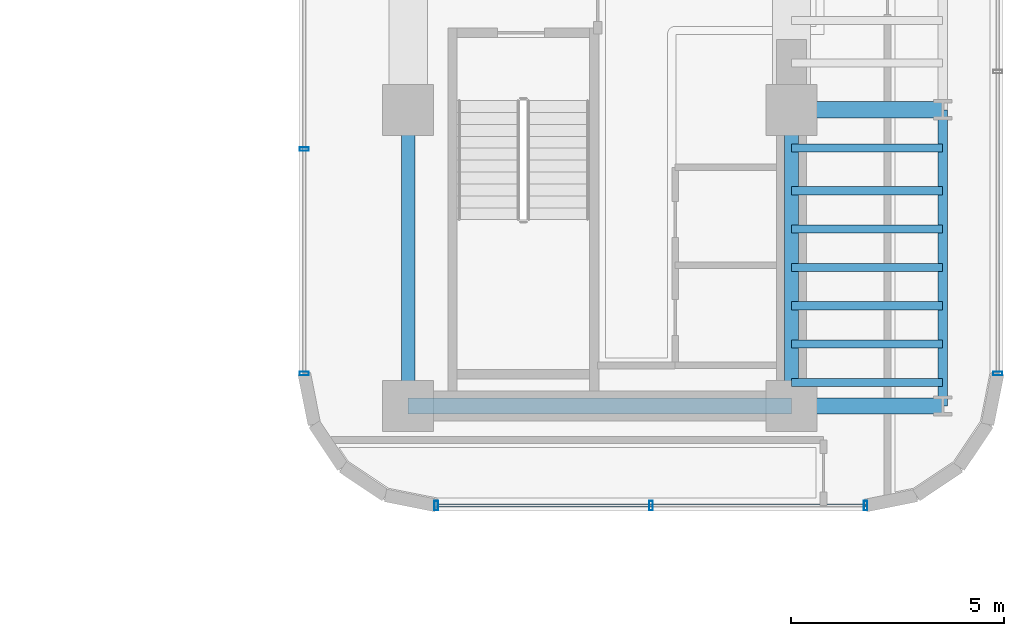
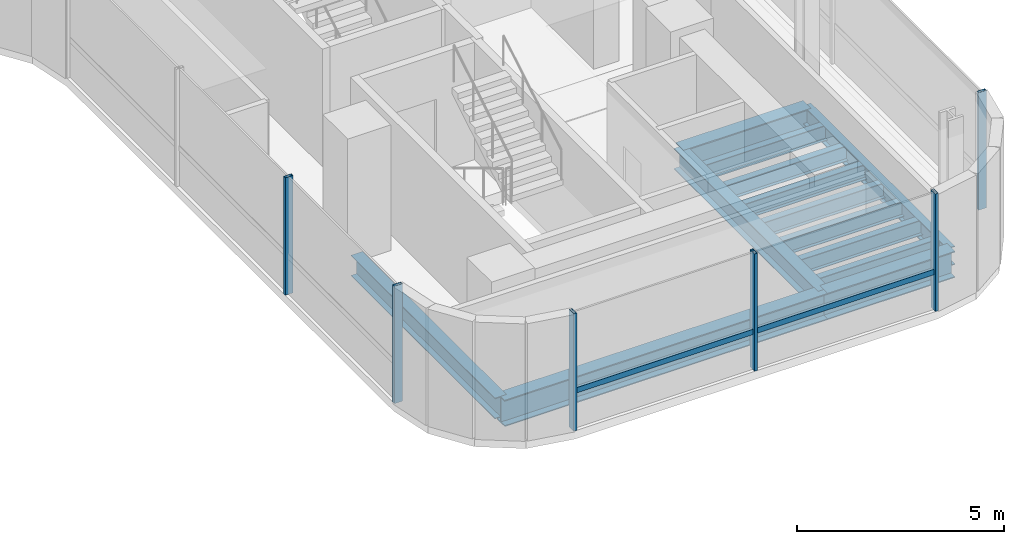
# One storey, part 12 of 35: 13 beams, 7 members, 3 elements without a shape of their own.
"""IFC4 building model written with IfcOpenShell, lengths in metres."""

from ifc_helpers import new_model, si_unit, direction, frame, origin, origin_2d, place, context, subcontext, project, spatial, hollow_rectangle, i_section, extrude, source, transform, mapped, material, material_profile, profile_set, type_object, element, aggregate, save


model = new_model("IFC4")

# Units and contexts
model_context = context("Model", 3, precision=1e-05, world=origin(), true_north=direction((0.0, 1.0)))
body_context = subcontext(model_context, "Body", "Model", "MODEL_VIEW")
ifc_project = project(units=[si_unit("LENGTHUNIT", "METRE"), si_unit("AREAUNIT", "SQUARE_METRE"), si_unit("VOLUMEUNIT", "CUBIC_METRE"), si_unit("PLANEANGLEUNIT", "RADIAN"), si_unit("MASSUNIT", "GRAM", prefix="KILO")], contexts=[model_context])

# Site, building, storey
site_placement = place(None, origin())
site = spatial("IfcSite", under=ifc_project, at=site_placement, CompositionType="ELEMENT")
building_placement = place(site_placement, origin())
building = spatial("IfcBuilding", under=site, at=building_placement, Name="Valdorenza Pilgrim Sanctuary Tower", CompositionType="ELEMENT")
storey_placement = place(building_placement, frame((0.0, 0.0, 124.199951171875)))
storey = spatial("IfcBuildingStorey", under=building, at=storey_placement, Name="L31", CompositionType="ELEMENT", Elevation=124.199951171875)

# Beams
ifc_material_1 = material(Name="Steel ASTM A992 Grade 50", Category="steel")
ifc_material_profile_1 = material_profile(ifc_material_1, i_section(OverallWidth=0.323974609375, OverallDepth=0.611083984375, WebThickness=0.0126953125, FlangeThickness=0.01904296875, at=origin_2d()), Name="W24X104")
ifc_profile_set_1 = profile_set([ifc_material_profile_1], Name="Steel ASTM A992 Grade 50")
beam_type_1 = type_object("IfcBeamType", Name="STR-BM-GRD-W24B", PredefinedType="BEAM", material=ifc_profile_set_1)
shared_shape_1 = source(origin(), body_context, "Body", "SweptSolid", [
    extrude(i_section(OverallWidth=0.323974609375, OverallDepth=0.611083984375, WebThickness=0.0126953125, FlangeThickness=0.01904296875, at=origin_2d()), origin(), (0.0, 0.0, 1.0), 6.949951171875),
])
for number, where, z_axis, x_axis, name in (
    (1, (15.85009765625, -9.550048828125, -0.54541015625), (0.0, 1.0, 0.0), (-1.0, 0.0, 0.0), "L31 Core Tie Girder CB-W-S1M0"),
    (2, (24.85009765625, -9.550048828125, -0.54541015625), (0.0, 1.0, 0.0), (-1.0, 0.0, 0.0), "L31 Core Tie Girder CB-E-S1M0"),
):
    element("IfcBeam", number, at=place(storey_placement, frame(where, z_axis=z_axis, x_axis=x_axis)), inside=storey, type_object=beam_type_1, Name=name, PredefinedType="BEAM", context=body_context, shape_type="MappedRepresentation", body=[
        mapped(shared_shape_1, transform((0.0, 0.0, 0.0), x_axis=(1.0, 0.0, 0.0), y_axis=(0.0, 1.0, 0.0), z_axis=(0.0, 0.0, 1.0), scale=1.0)),
    ])
ifc_material_profile_2 = material_profile(ifc_material_1, i_section(OverallWidth=0.214111328125, OverallDepth=0.549072265625, WebThickness=0.0146484375, FlangeThickness=0.023681640625, at=origin_2d()), Name="W21X93")
ifc_profile_set_2 = profile_set([ifc_material_profile_2], Name="Steel ASTM A992 Grade 50")
beam_type_2 = type_object("IfcBeamType", Name="STR-BM-SPN-W21A", PredefinedType="SPANDREL", material=ifc_profile_set_2)
shared_shape_2 = source(origin(), body_context, "Body", "SweptSolid", [
    extrude(i_section(OverallWidth=0.214111328125, OverallDepth=0.549072265625, WebThickness=0.0146484375, FlangeThickness=0.023681640625, at=origin_2d()), origin(), (0.0, 0.0, 1.0), 6.949951171875),
])
beam_1_placement = place(storey_placement, frame((28.39990234375, -9.550048828125, -0.514404296875), z_axis=(0.0, 1.0, 0.0), x_axis=(-1.0, 0.0, 0.0)))
element("IfcBeam", 3, at=beam_1_placement, inside=storey, type_object=beam_type_2, Name="L31 Spandrel Beam WB-E-S1M0", PredefinedType="SPANDREL", context=body_context, shape_type="MappedRepresentation", body=[
    mapped(shared_shape_2, transform((0.0, 0.0, 0.0), x_axis=(1.0, 0.0, 0.0), y_axis=(0.0, 1.0, 0.0), z_axis=(0.0, 0.0, 1.0), scale=1.0)),
])
ifc_material_profile_3 = material_profile(ifc_material_1, i_section(OverallWidth=0.382080078125, OverallDepth=0.779052734375, WebThickness=0.01806640625, FlangeThickness=0.030029296875, at=origin_2d()), Name="W30X191")
ifc_profile_set_3 = profile_set([ifc_material_profile_3], Name="Steel ASTM A992 Grade 50")
beam_type_3 = type_object("IfcBeamType", Name="STR-BM-GRD-W30", PredefinedType="BEAM", material=ifc_profile_set_3)
shared_shape_3 = source(origin(), body_context, "Body", "SweptSolid", [
    extrude(i_section(OverallWidth=0.382080078125, OverallDepth=0.779052734375, WebThickness=0.01806640625, FlangeThickness=0.030029296875, at=origin_2d()), origin(), (0.0, 0.0, 1.0), 9.0),
])
beam_2_placement = place(storey_placement, frame((15.85009765625, -9.550048828125, -0.62939453125), z_axis=(1.0, 0.0, 0.0), x_axis=(0.0, 1.0, 0.0)))
element("IfcBeam", 4, at=beam_2_placement, inside=storey, type_object=beam_type_3, Name="L31 Floor Girder CB-XC-S1", PredefinedType="BEAM", context=body_context, shape_type="MappedRepresentation", body=[
    mapped(shared_shape_3, transform((0.0, 0.0, 0.0), x_axis=(1.0, 0.0, 0.0), y_axis=(0.0, 1.0, 0.0), z_axis=(0.0, 0.0, 1.0), scale=1.0)),
])
shared_shape_4 = source(origin(), body_context, "Body", "SweptSolid", [
    extrude(i_section(OverallWidth=0.382080078125, OverallDepth=0.779052734375, WebThickness=0.01806640625, FlangeThickness=0.030029296875, at=origin_2d()), origin(), (0.0, 0.0, 1.0), 3.5498046875),
])
for number, where, z_axis, x_axis, name in (
    (5, (24.85009765625, -9.550048828125, -0.62939453125), (1.0, 0.0, 0.0), (0.0, 1.0, 0.0), "L31 Floor Girder WB-XE-S1"),
    (6, (24.85009765625, -2.60009765625, -0.62939453125), (1.0, 0.0, 0.0), (0.0, 1.0, 0.0), "L31 Floor Girder WB-XE-M0"),
):
    element("IfcBeam", number, at=place(storey_placement, frame(where, z_axis=z_axis, x_axis=x_axis)), inside=storey, type_object=beam_type_3, Name=name, PredefinedType="BEAM", context=body_context, shape_type="MappedRepresentation", body=[
        mapped(shared_shape_4, transform((0.0, 0.0, 0.0), x_axis=(1.0, 0.0, 0.0), y_axis=(0.0, 1.0, 0.0), z_axis=(0.0, 0.0, 1.0), scale=1.0)),
    ])
ifc_material_profile_4 = material_profile(ifc_material_1, i_section(OverallWidth=0.19091796875, OverallDepth=0.45703125, WebThickness=0.009033203125, FlangeThickness=0.014404296875, at=origin_2d()), Name="W18X50")
ifc_profile_set_4 = profile_set([ifc_material_profile_4], Name="Steel ASTM A992 Grade 50")
beam_type_4 = type_object("IfcBeamType", Name="STR-BM-JST-W18B", PredefinedType="JOIST", material=ifc_profile_set_4)
shared_shape_5 = source(origin(), body_context, "Body", "SweptSolid", [
    extrude(i_section(OverallWidth=0.19091796875, OverallDepth=0.45703125, WebThickness=0.009033203125, FlangeThickness=0.014404296875, at=origin_2d()), origin(), (0.0, 0.0, 1.0), 3.5498046875),
])
for number, where, z_axis, x_axis, name in (
    (7, (24.85009765625, -9.0, -0.468505859375), (1.0, 0.0, 0.0), (0.0, 1.0, 0.0), "L31 Composite Floor Joist JST-WB-1"),
    (8, (24.85009765625, -8.10009765625, -0.468505859375), (1.0, 0.0, 0.0), (0.0, 1.0, 0.0), "L31 Composite Floor Joist JST-WB-2"),
    (9, (24.85009765625, -7.199951171875, -0.468505859375), (1.0, 0.0, 0.0), (0.0, 1.0, 0.0), "L31 Composite Floor Joist JST-WB-3"),
    (10, (24.85009765625, -6.300048828125, -0.468505859375), (1.0, 0.0, 0.0), (0.0, 1.0, 0.0), "L31 Composite Floor Joist JST-WB-4"),
    (11, (24.85009765625, -5.39990234375, -0.468505859375), (1.0, 0.0, 0.0), (0.0, 1.0, 0.0), "L31 Composite Floor Joist JST-WB-5"),
    (12, (24.85009765625, -4.5, -0.468505859375), (1.0, 0.0, 0.0), (0.0, 1.0, 0.0), "L31 Composite Floor Joist JST-WB-6"),
    (13, (24.85009765625, -3.5, -0.468505859375), (1.0, 0.0, 0.0), (0.0, 1.0, 0.0), "L31 Composite Floor Joist JST-WB-7"),
):
    element("IfcBeam", number, at=place(storey_placement, frame(where, z_axis=z_axis, x_axis=x_axis)), inside=storey, type_object=beam_type_4, Name=name, PredefinedType="JOIST", context=body_context, shape_type="MappedRepresentation", body=[
        mapped(shared_shape_5, transform((0.0, 0.0, 0.0), x_axis=(1.0, 0.0, 0.0), y_axis=(0.0, 1.0, 0.0), z_axis=(0.0, 0.0, 1.0), scale=1.0)),
    ])

# Curtain wall, member
ifc_material_2 = material(Name="Curtain-wall IGU glazing", Category="glass")
curtain_wall_type = type_object("IfcCurtainWallType", Name="CW-SYS-03", PredefinedType="NOTDEFINED", material=ifc_material_2)
curtain_wall_1_placement = place(storey_placement, origin())
curtain_wall_1 = element("IfcCurtainWall", 14, at=curtain_wall_1_placement, inside=storey, type_object=curtain_wall_type, Name="L31 Curtain Wall CW-L31-1-21", PredefinedType="NOTDEFINED")
ifc_material_3 = material(Name="Anodised aluminium AW-6060", Category="aluminium")
ifc_material_profile_5 = material_profile(ifc_material_3, hollow_rectangle(XDim=0.0849609375, YDim=0.219970703125, WallThickness=0.0048828125, at=origin_2d()), Name="ALU-M 220x85x5")
ifc_profile_set_5 = profile_set([ifc_material_profile_5], Name="Anodised aluminium AW-6060")
member_type_1 = type_object("IfcMemberType", Name="CW-MUL-03", PredefinedType="MULLION", material=ifc_profile_set_5)
shared_shape_6 = source(origin(), body_context, "Body", "SweptSolid", [
    extrude(hollow_rectangle(XDim=0.0849609375, YDim=0.219970703125, WallThickness=0.0048828125, at=origin_2d()), origin(), (0.0, 0.0, 1.0), 3.4599609375),
])
member_1_placement = place(storey_placement, frame((29.68994140625, -8.789306640625, 0.0), z_axis=(0.0, 0.0, 1.0), x_axis=(0.0, -1.0, 0.0)))
member_1 = element("IfcMember", 15, at=member_1_placement, type_object=member_type_1, Name="CW-L31-1-21 Mullion 4", PredefinedType="MULLION", context=body_context, shape_type="MappedRepresentation", body=[
    mapped(shared_shape_6, transform((0.0, 0.0, 0.0), x_axis=(1.0, 0.0, 0.0), y_axis=(0.0, 1.0, 0.0), z_axis=(0.0, 0.0, 1.0), scale=1.0)),
])
aggregate(curtain_wall_1, [member_1])

# Curtain wall, members
curtain_wall_2_placement = place(storey_placement, origin())
curtain_wall_2 = element("IfcCurtainWall", 16, at=curtain_wall_2_placement, inside=storey, type_object=curtain_wall_type, Name="L31 Curtain Wall CW-L31-1-26", PredefinedType="NOTDEFINED")
member_2_placement = place(storey_placement, frame((26.589111328125, -11.889892578125, 0.0), z_axis=(0.0, 0.0, 1.0), x_axis=(-1.0, 0.0, 0.0)))
member_2 = element("IfcMember", 17, at=member_2_placement, type_object=member_type_1, Name="CW-L31-1-26 Mullion 1", PredefinedType="MULLION", context=body_context, shape_type="MappedRepresentation", body=[
    mapped(shared_shape_6, transform((0.0, 0.0, 0.0), x_axis=(1.0, 0.0, 0.0), y_axis=(0.0, 1.0, 0.0), z_axis=(0.0, 0.0, 1.0), scale=1.0)),
])
member_3_placement = place(storey_placement, frame((21.550048828125, -11.889892578125, 0.0), z_axis=(0.0, 0.0, 1.0), x_axis=(-1.0, 0.0, 0.0)))
member_3 = element("IfcMember", 18, at=member_3_placement, type_object=member_type_1, Name="CW-L31-1-26 Mullion 2", PredefinedType="MULLION", context=body_context, shape_type="MappedRepresentation", body=[
    mapped(shared_shape_6, transform((0.0, 0.0, 0.0), x_axis=(1.0, 0.0, 0.0), y_axis=(0.0, 1.0, 0.0), z_axis=(0.0, 0.0, 1.0), scale=1.0)),
])
member_4_placement = place(storey_placement, frame((16.5107421875, -11.889892578125, 0.0), z_axis=(0.0, 0.0, 1.0), x_axis=(-1.0, 0.0, 0.0)))
member_4 = element("IfcMember", 19, at=member_4_placement, type_object=member_type_1, Name="CW-L31-1-26 Mullion 3", PredefinedType="MULLION", context=body_context, shape_type="MappedRepresentation", body=[
    mapped(shared_shape_6, transform((0.0, 0.0, 0.0), x_axis=(1.0, 0.0, 0.0), y_axis=(0.0, 1.0, 0.0), z_axis=(0.0, 0.0, 1.0), scale=1.0)),
])

curtain_wall_3_placement = place(storey_placement, origin())
curtain_wall_3 = element("IfcCurtainWall", 20, at=curtain_wall_3_placement, inside=storey, type_object=curtain_wall_type, Name="L31 Curtain Wall CW-L31-1-31", PredefinedType="NOTDEFINED")
member_5_placement = place(storey_placement, frame((13.409912109375, -8.789306640625, 0.0), z_axis=(0.0, 0.0, 1.0), x_axis=(0.0, 1.0, 0.0)))
member_5 = element("IfcMember", 21, at=member_5_placement, type_object=member_type_1, Name="CW-L31-1-31 Mullion 1", PredefinedType="MULLION", context=body_context, shape_type="MappedRepresentation", body=[
    mapped(shared_shape_6, transform((0.0, 0.0, 0.0), x_axis=(1.0, 0.0, 0.0), y_axis=(0.0, 1.0, 0.0), z_axis=(0.0, 0.0, 1.0), scale=1.0)),
])
member_6_placement = place(storey_placement, frame((13.409912109375, -3.5224609375, 0.0), z_axis=(0.0, 0.0, 1.0), x_axis=(0.0, 1.0, 0.0)))
member_6 = element("IfcMember", 22, at=member_6_placement, type_object=member_type_1, Name="CW-L31-1-31 Mullion 2", PredefinedType="MULLION", context=body_context, shape_type="MappedRepresentation", body=[
    mapped(shared_shape_6, transform((0.0, 0.0, 0.0), x_axis=(1.0, 0.0, 0.0), y_axis=(0.0, 1.0, 0.0), z_axis=(0.0, 0.0, 1.0), scale=1.0)),
])
aggregate(curtain_wall_3, [member_5, member_6])

# Member
ifc_material_profile_6 = material_profile(ifc_material_3, hollow_rectangle(XDim=0.074951171875, YDim=0.159912109375, WallThickness=0.00390625, at=origin_2d()), Name="ALU-T 160x75x4")
ifc_profile_set_6 = profile_set([ifc_material_profile_6], Name="Anodised aluminium AW-6060")
member_type_2 = type_object("IfcMemberType", Name="CW-TRN-03", PredefinedType="USERDEFINED", material=ifc_profile_set_6)
shared_shape_7 = source(origin(), body_context, "Body", "SweptSolid", [
    extrude(hollow_rectangle(XDim=0.074951171875, YDim=0.159912109375, WallThickness=0.00390625, at=origin_2d()), origin(), (0.0, 0.0, 1.0), 10.078369140625),
])
member_7_placement = place(storey_placement, frame((26.589111328125, -11.889892578125, 1.1201171875), z_axis=(-1.0, 0.0, 0.0), x_axis=(0.0, -1.0, 0.0)))
member_7 = element("IfcMember", 23, at=member_7_placement, type_object=member_type_2, Name="CW-L31-1-26 Transom 1", ObjectType="TRANSOM", PredefinedType="USERDEFINED", context=body_context, shape_type="MappedRepresentation", body=[
    mapped(shared_shape_7, transform((0.0, 0.0, 0.0), x_axis=(1.0, 0.0, 0.0), y_axis=(0.0, 1.0, 0.0), z_axis=(0.0, 0.0, 1.0), scale=1.0)),
])

aggregate(curtain_wall_2, [member_2, member_3, member_4, member_7])

save(model, "model.ifc")
